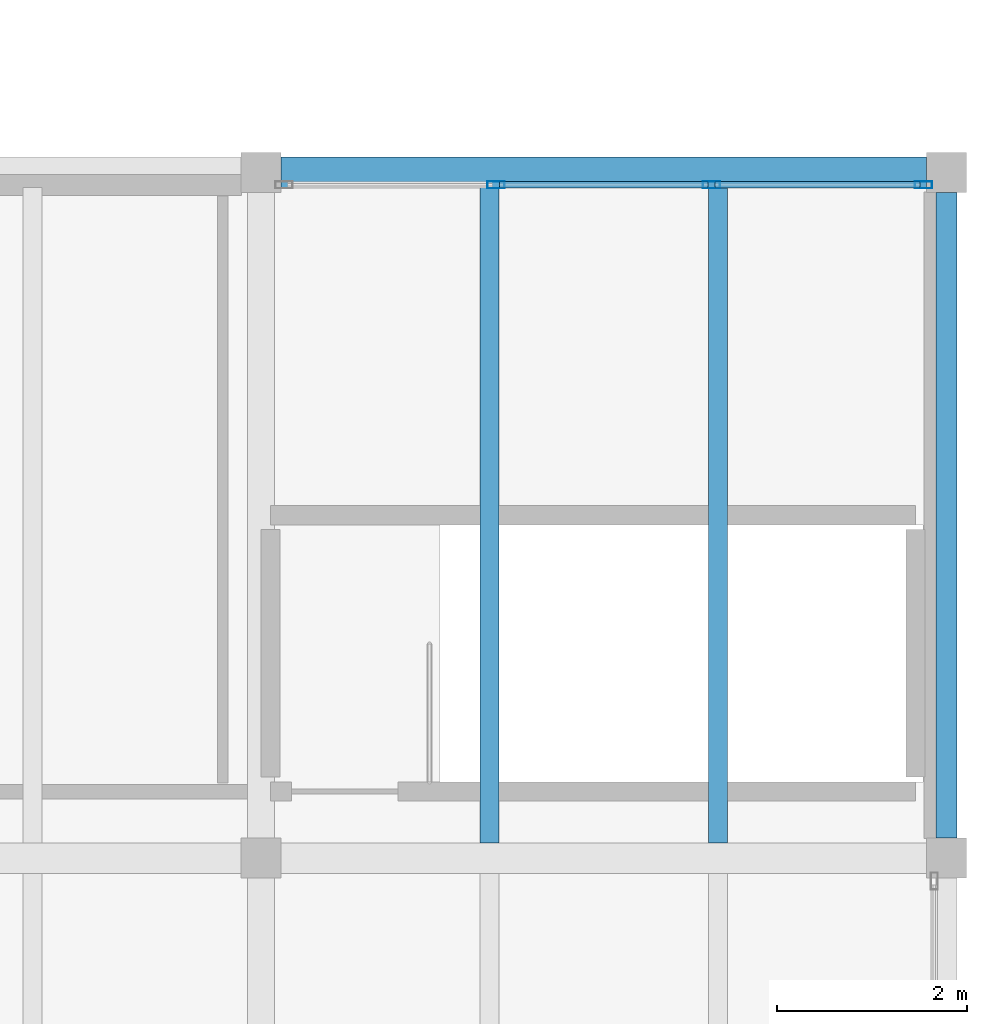
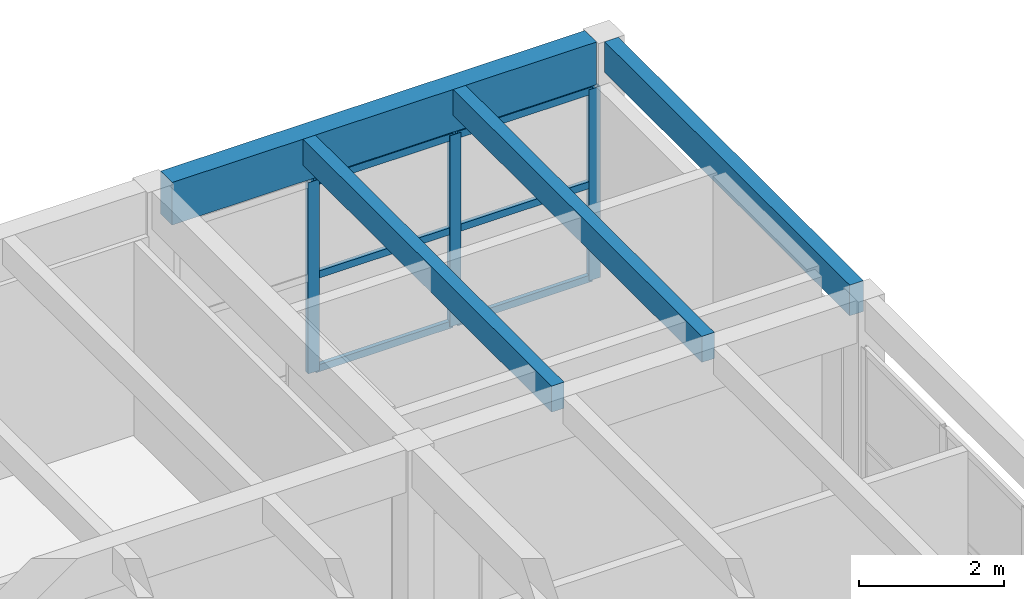
# One storey, part 48 of 68: 9 members, 4 beams, 1 element without a shape of its own.
"""IFC4 building model written with IfcOpenShell, lengths in metres."""

import ifcopenshell
import ifcopenshell.guid

model = None  # the IFC model being written
_history = None  # IfcOwnerHistory: only IFC2X3 demands one
_inside = {}  # id of a spatial element -> (the spatial element, [elements in it])
_under = {}  # id of a project, library or spatial element -> (it, [spatial elements below it])
_declared = {}  # id of a project -> (the project, [libraries it declares])
_typed = {}  # id of a type object -> (the type object, [elements of that type])
_made_of = {}  # id of a material, layer set ... -> (it, [elements and type objects made of it])


def new_model(schema):
    """Start an empty IFC model of exactly this schema.

    Asked for "IFC4X3", IfcOpenShell would pick the latest addendum, in which some entities
    have other attributes; the version numbers below select the first issue.
    IFC2X3 requires an IfcOwnerHistory on every rooted entity: one is made here for all.
    """
    global model, _history
    if schema == "IFC4X3":
        model = ifcopenshell.file(schema_version=(4, 3, 0, 0))
    else:
        model = ifcopenshell.file(schema=schema)
    _inside.clear()
    _under.clear()
    _declared.clear()
    _typed.clear()
    _made_of.clear()
    _history = None
    if model.schema == "IFC2X3":
        org = make("IfcOrganization", Name="unknown")
        user = make(
            "IfcPersonAndOrganization",
            ThePerson=make("IfcPerson", FamilyName="unknown"),
            TheOrganization=org,
        )
        app = make(
            "IfcApplication",
            ApplicationDeveloper=org,
            Version="unknown",
            ApplicationFullName="unknown",
            ApplicationIdentifier="unknown",
        )
        _history = make(
            "IfcOwnerHistory",
            OwningUser=user,
            OwningApplication=app,
            ChangeAction="ADDED",
            CreationDate=0,
        )
    return model


def make(cls, **values):
    """One entity of the class cls with the attributes given. An attribute that is None is left unset."""
    return model.create_entity(
        cls, **{name: value for name, value in values.items() if value is not None}
    )


def rooted(cls, **values):
    """An entity with a GlobalId (a new one), such as an element, a storey or a relation."""
    return make(cls, GlobalId=ifcopenshell.guid.new(), OwnerHistory=_history, **values)


def si_unit(unit_type, name, prefix=None):
    """IfcSIUnit, for example si_unit("LENGTHUNIT", "METRE", prefix="MILLI")."""
    return make("IfcSIUnit", UnitType=unit_type, Prefix=prefix, Name=name)


def assignment(units):
    """IfcUnitAssignment: the units of a project."""
    return None if units is None else make("IfcUnitAssignment", Units=units)


def point(xyz):
    """IfcCartesianPoint."""
    return None if xyz is None else make("IfcCartesianPoint", Coordinates=xyz)


def direction(xyz):
    """IfcDirection."""
    return None if xyz is None else make("IfcDirection", DirectionRatios=xyz)


def frame(location, z_axis=None, x_axis=None):
    """IfcAxis2Placement3D, a coordinate frame: its origin and axes. An axis left out is left unset."""
    return make(
        "IfcAxis2Placement3D",
        Location=point(location),
        Axis=direction(z_axis),
        RefDirection=direction(x_axis),
    )


def frame_2d(location, x_axis=None):
    """IfcAxis2Placement2D, a coordinate frame in the plane: its origin and x axis."""
    return make(
        "IfcAxis2Placement2D", Location=point(location), RefDirection=direction(x_axis)
    )


def origin():
    """The frame at (0, 0, 0) with its axes left unset."""
    return frame((0.0, 0.0, 0.0))


def origin_2d():
    """The frame at (0, 0) in the plane with its x axis left unset."""
    return frame_2d((0.0, 0.0))


def place(relative_to, where):
    """IfcLocalPlacement: puts the frame where relative to a parent placement (None: the world)."""
    return make(
        "IfcLocalPlacement", PlacementRelTo=relative_to, RelativePlacement=where
    )


def context(
    kind, dimensions, precision=None, world=None, true_north=None, identifier=None
):
    """IfcGeometricRepresentationContext, for example the 3D "Model" context."""
    return make(
        "IfcGeometricRepresentationContext",
        ContextIdentifier=identifier,
        ContextType=kind,
        CoordinateSpaceDimension=dimensions,
        Precision=precision,
        WorldCoordinateSystem=world,
        TrueNorth=true_north,
    )


def subcontext(parent, identifier, kind, view, scale=None):
    """IfcGeometricRepresentationSubContext, for example "Body" below "Model"."""
    return make(
        "IfcGeometricRepresentationSubContext",
        ContextIdentifier=identifier,
        ContextType=kind,
        ParentContext=parent,
        TargetScale=scale,
        TargetView=view,
    )


def project(units=None, contexts=None):
    """IfcProject with its units and contexts."""
    return rooted(
        "IfcProject",
        Name="project",
        RepresentationContexts=contexts,
        UnitsInContext=assignment(units),
    )


def spatial(cls, under=None, at=None, **own):
    """A site, building, storey or space (cls), placed at a placement, below another one or the project."""
    s = rooted(cls, ObjectPlacement=at, **own)
    if under is not None:
        _under.setdefault(under.id(), (under, []))[1].append(s)
    return s


def profile(cls, at=None, kind="AREA", **sizes):
    """A parametric profile (cls). Its sizes go by their IFC names, for example OverallWidth=200.0."""
    return make(cls, ProfileType=kind, Position=at, **sizes)


def rectangle(**sizes):
    """IfcRectangleProfileDef."""
    return profile("IfcRectangleProfileDef", **sizes)


def hollow_rectangle(**sizes):
    """IfcRectangleHollowProfileDef."""
    return profile("IfcRectangleHollowProfileDef", **sizes)


def extrude(swept, where, along, depth):
    """IfcExtrudedAreaSolid: the profile swept, set in the frame where, extruded along a direction by depth."""
    return make(
        "IfcExtrudedAreaSolid",
        SweptArea=swept,
        Position=where,
        ExtrudedDirection=direction(along),
        Depth=depth,
    )


def shape(context_of_items, identifier, shape_type, items):
    """IfcShapeRepresentation: the items that make up one representation, for example the "Body"."""
    return make(
        "IfcShapeRepresentation",
        ContextOfItems=context_of_items,
        RepresentationIdentifier=identifier,
        RepresentationType=shape_type,
        Items=items,
    )


def material(Name=None, Category=None):
    """IfcMaterial."""
    return make("IfcMaterial", Name=Name, Category=Category)


def material_profile(
    of_material, cross_section, Name=None, Category=None, Priority=None
):
    """IfcMaterialProfile: a cross section and its material."""
    return make(
        "IfcMaterialProfile",
        Name=Name,
        Material=of_material,
        Profile=cross_section,
        Priority=Priority,
        Category=Category,
    )


def profile_set(profiles, Name=None, composite=None):
    """IfcMaterialProfileSet."""
    return make(
        "IfcMaterialProfileSet",
        Name=Name,
        MaterialProfiles=profiles,
        CompositeProfile=composite,
    )


def made_of(thing, what):
    """Note that an element or type object is made of a material, layer set ...; save() writes the relation."""
    if what is not None:
        _made_of.setdefault(what.id(), (what, []))[1].append(thing)
    return thing


def type_object(cls, material=None, **own):
    """A type object (cls), such as IfcWallType, which elements share."""
    return made_of(rooted(cls, **own), material)


def element(
    cls,
    number,
    at=None,
    inside=None,
    cuts=None,
    type_object=None,
    material=None,
    context=None,
    identifier="Body",
    shape_type=None,
    held_by="IfcProductDefinitionShape",
    body=None,
    shapes=None,
    **own,
):
    """One element of the class cls, such as IfcWall. Its Tag is "e" and its number.

    at: its placement. inside: the storey or other place that contains it. cuts: it is an
    opening in that element (IfcRelVoidsElement). A single representation is given by context,
    identifier, shape_type and body (its items); several are given by shapes. held_by: the class
    of the entity that holds the representations. save() writes the other relations.
    """
    e = rooted(cls, Tag="e%d" % number, ObjectPlacement=at, **own)
    if body is not None:
        shapes = [shape(context, identifier, shape_type, body)]
    if shapes is not None:
        e.Representation = make(held_by, Representations=shapes)
    if inside is not None:
        _inside.setdefault(inside.id(), (inside, []))[1].append(e)
    if cuts is not None:
        rooted(
            "IfcRelVoidsElement", RelatingBuildingElement=cuts, RelatedOpeningElement=e
        )
    if type_object is not None:
        _typed.setdefault(type_object.id(), (type_object, []))[1].append(e)
    return made_of(e, material)


def aggregate(whole, parts):
    """IfcRelAggregates: a whole, such as a stair, and the parts it consists of."""
    return rooted("IfcRelAggregates", RelatingObject=whole, RelatedObjects=parts)


def save(model, path):
    """Write the relations noted so far, then the file.

    IfcRelAggregates (storeys below a building ...), IfcRelContainedInSpatialStructure (elements
    in a storey), IfcRelDefinesByType, IfcRelAssociatesMaterial and IfcRelDeclares: one each for
    every whole, place, type object, material and project.
    """
    for whole, parts in _under.values():
        aggregate(whole, parts)
    for where, things in _inside.values():
        rooted(
            "IfcRelContainedInSpatialStructure",
            RelatedElements=things,
            RelatingStructure=where,
        )
    for kind, things in _typed.values():
        rooted("IfcRelDefinesByType", RelatedObjects=things, RelatingType=kind)
    for what, things in _made_of.values():
        rooted("IfcRelAssociatesMaterial", RelatedObjects=things, RelatingMaterial=what)
    for by, libraries in _declared.values():
        rooted("IfcRelDeclares", RelatingContext=by, RelatedDefinitions=libraries)
    model.write(path)


model = new_model("IFC4")

# Units and contexts
model_context = context("Model", 3, precision=1e-05, world=origin(), true_north=direction((0.0, 1.0)))
body_context = subcontext(model_context, "Body", "Model", "MODEL_VIEW")
ifc_project = project(units=[si_unit("LENGTHUNIT", "METRE"), si_unit("AREAUNIT", "SQUARE_METRE"), si_unit("VOLUMEUNIT", "CUBIC_METRE"), si_unit("PLANEANGLEUNIT", "RADIAN"), si_unit("MASSUNIT", "GRAM", prefix="KILO")], contexts=[model_context])

# Site, building, storey
site_placement = place(None, origin())
site = spatial("IfcSite", under=ifc_project, at=site_placement, CompositionType="ELEMENT")
building_placement = place(site_placement, origin())
building = spatial("IfcBuilding", under=site, at=building_placement, Name="Bramvelor Terrace Health Centre", CompositionType="ELEMENT")
storey_placement = place(building_placement, frame((0.0, 0.0, 9.300048828125)))
storey = spatial("IfcBuildingStorey", under=building, at=storey_placement, Name="L03", CompositionType="ELEMENT", Elevation=9.300048828125)

# Beams
ifc_material_1 = material(Name="Glulam GL28h", Category="wood")
ifc_material_profile_1 = material_profile(ifc_material_1, rectangle(XDim=0.320068359375, YDim=0.719970703125, at=origin_2d()), Name="GL 320x720")
ifc_profile_set_1 = profile_set([ifc_material_profile_1], Name="Glulam GL28h")
beam_type_1 = type_object("IfcBeamType", Name="BM-GL-G720", PredefinedType="BEAM", material=ifc_profile_set_1)
beam_1_placement = place(storey_placement, frame((158.610107421875, 64.800048828125, 3.6298828125), z_axis=(1.0, 0.0, 0.0), x_axis=(0.0, 1.0, 0.0)))
element("IfcBeam", 1, at=beam_1_placement, inside=storey, type_object=beam_type_1, Name="L03 Floor Girder", PredefinedType="BEAM", context=body_context, shape_type="SweptSolid", body=[
    extrude(rectangle(XDim=0.320068359375, YDim=0.719970703125, at=origin_2d()), origin(), (0.0, 0.0, 1.0), 6.77978515625),
])
ifc_material_2 = material(Name="Glulam GL28h", Category="wood")
ifc_material_profile_2 = material_profile(ifc_material_2, rectangle(XDim=0.199951171875, YDim=0.43994140625, at=origin_2d()), Name="GL 200x440")
ifc_profile_set_2 = profile_set([ifc_material_profile_2], Name="Glulam GL28h")
beam_type_2 = type_object("IfcBeamType", Name="BM-GL-J440", PredefinedType="JOIST", material=ifc_profile_set_2)
for number, where, z_axis, x_axis, name in (
    (2, (160.800048828125, 57.760009765625, 3.77001953125), (0.0, 1.0, 0.0), (-1.0, 0.0, 0.0), "L03 Secondary Floor Joist"),
    (3, (163.199951171875, 57.760009765625, 3.77001953125), (0.0, 1.0, 0.0), (-1.0, 0.0, 0.0), "L03 Secondary Floor Joist"),
):
    element("IfcBeam", number, at=place(storey_placement, frame(where, z_axis=z_axis, x_axis=x_axis)), inside=storey, type_object=beam_type_2, Name=name, PredefinedType="JOIST", context=body_context, shape_type="SweptSolid", body=[
        extrude(rectangle(XDim=0.199951171875, YDim=0.43994140625, at=origin_2d()), origin(), (0.0, 0.0, 1.0), 6.8798828125),
    ])
ifc_material_3 = material(Name="Glulam GL28h", Category="wood")
ifc_material_profile_3 = material_profile(ifc_material_3, rectangle(XDim=0.219970703125, YDim=0.52001953125, at=origin_2d()), Name="GL 220x520")
ifc_profile_set_3 = profile_set([ifc_material_profile_3], Name="Glulam GL28h")
beam_type_3 = type_object("IfcBeamType", Name="BM-GL-SP520-EXT", PredefinedType="SPANDREL", material=ifc_profile_set_3)
beam_2_placement = place(storey_placement, frame((165.60009765625, 57.81005859375, 3.72998046875), z_axis=(0.0, 1.0, 0.0), x_axis=(-1.0, 0.0, 0.0)))
element("IfcBeam", 4, at=beam_2_placement, inside=storey, type_object=beam_type_3, Name="L03 Floor Girder", PredefinedType="SPANDREL", context=body_context, shape_type="SweptSolid", body=[
    extrude(rectangle(XDim=0.219970703125, YDim=0.52001953125, at=origin_2d()), origin(), (0.0, 0.0, 1.0), 6.780029296875),
])

# Curtain wall, members
ifc_material_4 = material(Name="Anodized aluminium and double low-E glass", Category="aluminium")
curtain_wall_type = type_object("IfcCurtainWallType", Name="CW-SYS-27", PredefinedType="NOTDEFINED", material=ifc_material_4)
curtain_wall_placement = place(storey_placement, origin())
curtain_wall = element("IfcCurtainWall", 5, at=curtain_wall_placement, inside=storey, type_object=curtain_wall_type, Name="L03 Unitized Curtain Wall 166", PredefinedType="NOTDEFINED")
ifc_material_5 = material(Name="Anodized aluminium 6063-T6", Category="aluminium")
ifc_material_profile_4 = material_profile(ifc_material_5, hollow_rectangle(XDim=0.074951171875, YDim=0.179931640625, WallThickness=0.00341796875, at=origin_2d()), Name="ALU-MUL 75x180x3.5")
ifc_profile_set_4 = profile_set([ifc_material_profile_4], Name="Anodized aluminium 6063-T6")
member_type_1 = type_object("IfcMemberType", Name="CW-MUL-65x180", PredefinedType="MULLION", material=ifc_profile_set_4)
member_1_placement = place(storey_placement, frame((160.868408203125, 64.669921875, 0.0), z_axis=(0.0, 0.0, 1.0), x_axis=(0.0, 1.0, 0.0)))
member_1 = element("IfcMember", 6, at=member_1_placement, type_object=member_type_1, Name="CW-27 mullion 2", PredefinedType="MULLION", context=body_context, shape_type="SweptSolid", body=[
    extrude(hollow_rectangle(XDim=0.074951171875, YDim=0.179931640625, WallThickness=0.00341796875, at=origin_2d()), origin(), (0.0, 0.0, 1.0), 3.22998046875),
])
member_2_placement = place(storey_placement, frame((163.131591796875, 64.669921875, 0.0), z_axis=(0.0, 0.0, 1.0), x_axis=(0.0, 1.0, 0.0)))
member_2 = element("IfcMember", 7, at=member_2_placement, type_object=member_type_1, Name="CW-27 mullion 3", PredefinedType="MULLION", context=body_context, shape_type="SweptSolid", body=[
    extrude(hollow_rectangle(XDim=0.074951171875, YDim=0.179931640625, WallThickness=0.00341796875, at=origin_2d()), origin(), (0.0, 0.0, 1.0), 3.22998046875),
])
member_3_placement = place(storey_placement, frame((165.357421875, 64.669921875, 0.0), z_axis=(0.0, 0.0, 1.0), x_axis=(0.0, 1.0, 0.0)))
member_3 = element("IfcMember", 8, at=member_3_placement, type_object=member_type_1, Name="CW-27 mullion 4", PredefinedType="MULLION", context=body_context, shape_type="SweptSolid", body=[
    extrude(hollow_rectangle(XDim=0.074951171875, YDim=0.179931640625, WallThickness=0.00341796875, at=origin_2d()), origin(), (0.0, 0.0, 1.0), 3.22998046875),
])
ifc_material_6 = material(Name="Anodized aluminium 6063-T6", Category="aluminium")
ifc_material_profile_5 = material_profile(ifc_material_6, hollow_rectangle(XDim=0.06494140625, YDim=0.1201171875, WallThickness=0.0029296875, at=origin_2d()), Name="ALU-TRN 65x120x3.0")
ifc_profile_set_5 = profile_set([ifc_material_profile_5], Name="Anodized aluminium 6063-T6")
member_type_2 = type_object("IfcMemberType", Name="CW-TRN-65x150", PredefinedType="USERDEFINED", material=ifc_profile_set_5)
member_4_placement = place(storey_placement, frame((160.90576171875, 64.669921875, 0.032470703125), z_axis=(1.0, 0.0, 0.0), x_axis=(0.0, 1.0, 0.0)))
member_4 = element("IfcMember", 9, at=member_4_placement, type_object=member_type_2, Name="CW-27 transom 2.1", ObjectType="TRANSOM", PredefinedType="USERDEFINED", context=body_context, shape_type="SweptSolid", body=[
    extrude(hollow_rectangle(XDim=0.06494140625, YDim=0.1201171875, WallThickness=0.0029296875, at=origin_2d()), origin(), (0.0, 0.0, 1.0), 2.1884765625),
])
member_5_placement = place(storey_placement, frame((160.90576171875, 64.669921875, 1.614990234375), z_axis=(1.0, 0.0, 0.0), x_axis=(0.0, 1.0, 0.0)))
member_5 = element("IfcMember", 10, at=member_5_placement, type_object=member_type_2, Name="CW-27 transom 2.2", ObjectType="TRANSOM", PredefinedType="USERDEFINED", context=body_context, shape_type="SweptSolid", body=[
    extrude(hollow_rectangle(XDim=0.06494140625, YDim=0.1201171875, WallThickness=0.0029296875, at=origin_2d()), origin(), (0.0, 0.0, 1.0), 2.1884765625),
])
member_6_placement = place(storey_placement, frame((160.90576171875, 64.669921875, 3.197509765625), z_axis=(1.0, 0.0, 0.0), x_axis=(0.0, 1.0, 0.0)))
member_6 = element("IfcMember", 11, at=member_6_placement, type_object=member_type_2, Name="CW-27 transom 2.3", ObjectType="TRANSOM", PredefinedType="USERDEFINED", context=body_context, shape_type="SweptSolid", body=[
    extrude(hollow_rectangle(XDim=0.06494140625, YDim=0.1201171875, WallThickness=0.0029296875, at=origin_2d()), origin(), (0.0, 0.0, 1.0), 2.1884765625),
])
member_7_placement = place(storey_placement, frame((163.169189453125, 64.669921875, 0.032470703125), z_axis=(1.0, 0.0, 0.0), x_axis=(0.0, 1.0, 0.0)))
member_7 = element("IfcMember", 12, at=member_7_placement, type_object=member_type_2, Name="CW-27 transom 3.1", ObjectType="TRANSOM", PredefinedType="USERDEFINED", context=body_context, shape_type="SweptSolid", body=[
    extrude(hollow_rectangle(XDim=0.06494140625, YDim=0.1201171875, WallThickness=0.0029296875, at=origin_2d()), origin(), (0.0, 0.0, 1.0), 2.15087890625),
])
member_8_placement = place(storey_placement, frame((163.169189453125, 64.669921875, 1.614990234375), z_axis=(1.0, 0.0, 0.0), x_axis=(0.0, 1.0, 0.0)))
member_8 = element("IfcMember", 13, at=member_8_placement, type_object=member_type_2, Name="CW-27 transom 3.2", ObjectType="TRANSOM", PredefinedType="USERDEFINED", context=body_context, shape_type="SweptSolid", body=[
    extrude(hollow_rectangle(XDim=0.06494140625, YDim=0.1201171875, WallThickness=0.0029296875, at=origin_2d()), origin(), (0.0, 0.0, 1.0), 2.15087890625),
])
member_9_placement = place(storey_placement, frame((163.169189453125, 64.669921875, 3.197509765625), z_axis=(1.0, 0.0, 0.0), x_axis=(0.0, 1.0, 0.0)))
member_9 = element("IfcMember", 14, at=member_9_placement, type_object=member_type_2, Name="CW-27 transom 3.3", ObjectType="TRANSOM", PredefinedType="USERDEFINED", context=body_context, shape_type="SweptSolid", body=[
    extrude(hollow_rectangle(XDim=0.06494140625, YDim=0.1201171875, WallThickness=0.0029296875, at=origin_2d()), origin(), (0.0, 0.0, 1.0), 2.15087890625),
])
aggregate(curtain_wall, [member_1, member_2, member_3, member_4, member_5, member_6, member_7, member_8, member_9])

save(model, "model.ifc")
